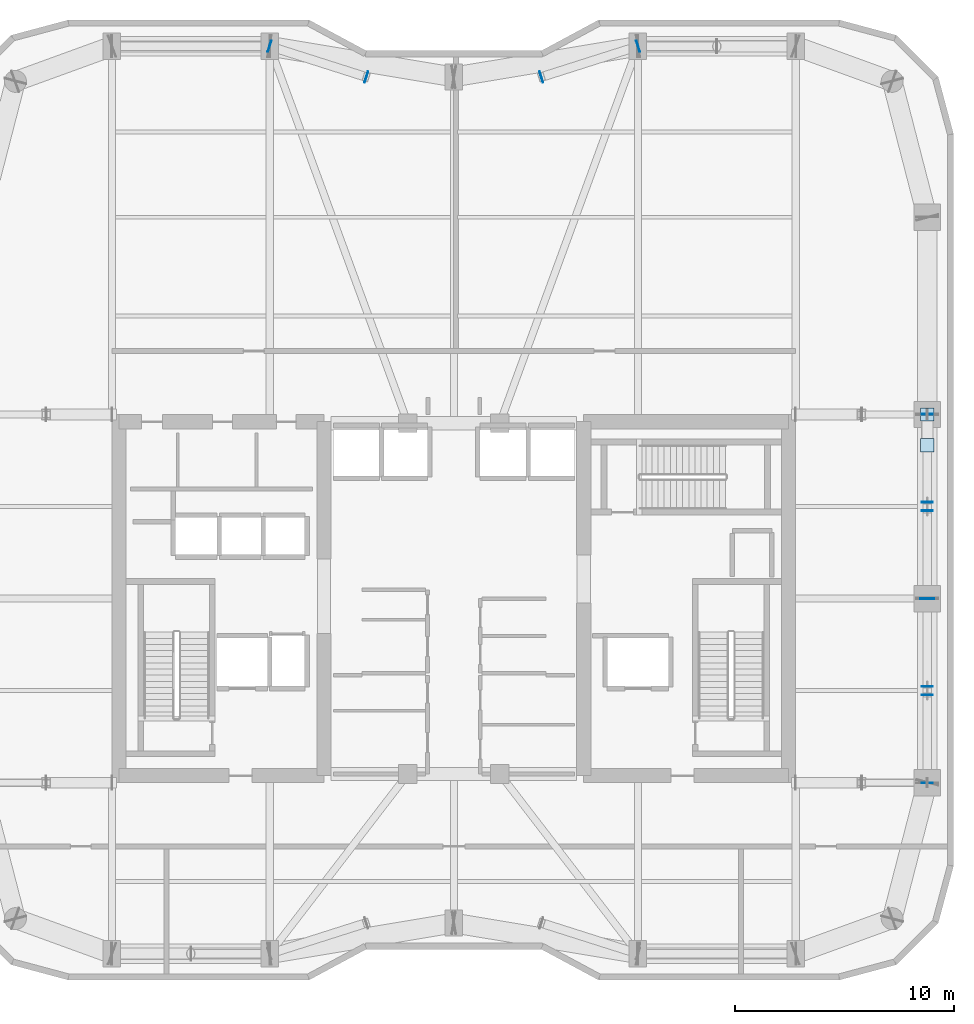
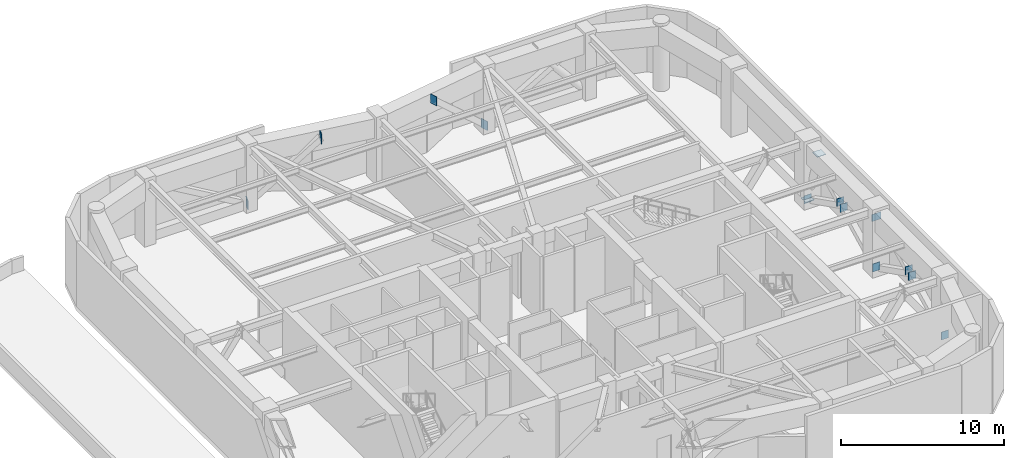
# One storey, part 10 of 16: 15 plates.
"""IFC4 building model written with IfcOpenShell, lengths in metres."""

import ifcopenshell
import ifcopenshell.guid

model = None  # the IFC model being written
_history = None  # IfcOwnerHistory: only IFC2X3 demands one
_inside = {}  # id of a spatial element -> (the spatial element, [elements in it])
_under = {}  # id of a project, library or spatial element -> (it, [spatial elements below it])
_declared = {}  # id of a project -> (the project, [libraries it declares])
_typed = {}  # id of a type object -> (the type object, [elements of that type])
_made_of = {}  # id of a material, layer set ... -> (it, [elements and type objects made of it])


def new_model(schema):
    """Start an empty IFC model of exactly this schema.

    Asked for "IFC4X3", IfcOpenShell would pick the latest addendum, in which some entities
    have other attributes; the version numbers below select the first issue.
    IFC2X3 requires an IfcOwnerHistory on every rooted entity: one is made here for all.
    """
    global model, _history
    if schema == "IFC4X3":
        model = ifcopenshell.file(schema_version=(4, 3, 0, 0))
    else:
        model = ifcopenshell.file(schema=schema)
    _inside.clear()
    _under.clear()
    _declared.clear()
    _typed.clear()
    _made_of.clear()
    _history = None
    if model.schema == "IFC2X3":
        org = make("IfcOrganization", Name="unknown")
        user = make(
            "IfcPersonAndOrganization",
            ThePerson=make("IfcPerson", FamilyName="unknown"),
            TheOrganization=org,
        )
        app = make(
            "IfcApplication",
            ApplicationDeveloper=org,
            Version="unknown",
            ApplicationFullName="unknown",
            ApplicationIdentifier="unknown",
        )
        _history = make(
            "IfcOwnerHistory",
            OwningUser=user,
            OwningApplication=app,
            ChangeAction="ADDED",
            CreationDate=0,
        )
    return model


def make(cls, **values):
    """One entity of the class cls with the attributes given. An attribute that is None is left unset."""
    return model.create_entity(
        cls, **{name: value for name, value in values.items() if value is not None}
    )


def rooted(cls, **values):
    """An entity with a GlobalId (a new one), such as an element, a storey or a relation."""
    return make(cls, GlobalId=ifcopenshell.guid.new(), OwnerHistory=_history, **values)


def si_unit(unit_type, name, prefix=None):
    """IfcSIUnit, for example si_unit("LENGTHUNIT", "METRE", prefix="MILLI")."""
    return make("IfcSIUnit", UnitType=unit_type, Prefix=prefix, Name=name)


def assignment(units):
    """IfcUnitAssignment: the units of a project."""
    return None if units is None else make("IfcUnitAssignment", Units=units)


def point(xyz):
    """IfcCartesianPoint."""
    return None if xyz is None else make("IfcCartesianPoint", Coordinates=xyz)


def direction(xyz):
    """IfcDirection."""
    return None if xyz is None else make("IfcDirection", DirectionRatios=xyz)


def frame(location, z_axis=None, x_axis=None):
    """IfcAxis2Placement3D, a coordinate frame: its origin and axes. An axis left out is left unset."""
    return make(
        "IfcAxis2Placement3D",
        Location=point(location),
        Axis=direction(z_axis),
        RefDirection=direction(x_axis),
    )


def frame_2d(location, x_axis=None):
    """IfcAxis2Placement2D, a coordinate frame in the plane: its origin and x axis."""
    return make(
        "IfcAxis2Placement2D", Location=point(location), RefDirection=direction(x_axis)
    )


def origin():
    """The frame at (0, 0, 0) with its axes left unset."""
    return frame((0.0, 0.0, 0.0))


def origin_2d():
    """The frame at (0, 0) in the plane with its x axis left unset."""
    return frame_2d((0.0, 0.0))


def place(relative_to, where):
    """IfcLocalPlacement: puts the frame where relative to a parent placement (None: the world)."""
    return make(
        "IfcLocalPlacement", PlacementRelTo=relative_to, RelativePlacement=where
    )


def context(
    kind, dimensions, precision=None, world=None, true_north=None, identifier=None
):
    """IfcGeometricRepresentationContext, for example the 3D "Model" context."""
    return make(
        "IfcGeometricRepresentationContext",
        ContextIdentifier=identifier,
        ContextType=kind,
        CoordinateSpaceDimension=dimensions,
        Precision=precision,
        WorldCoordinateSystem=world,
        TrueNorth=true_north,
    )


def subcontext(parent, identifier, kind, view, scale=None):
    """IfcGeometricRepresentationSubContext, for example "Body" below "Model"."""
    return make(
        "IfcGeometricRepresentationSubContext",
        ContextIdentifier=identifier,
        ContextType=kind,
        ParentContext=parent,
        TargetScale=scale,
        TargetView=view,
    )


def project(units=None, contexts=None):
    """IfcProject with its units and contexts."""
    return rooted(
        "IfcProject",
        Name="project",
        RepresentationContexts=contexts,
        UnitsInContext=assignment(units),
    )


def spatial(cls, under=None, at=None, **own):
    """A site, building, storey or space (cls), placed at a placement, below another one or the project."""
    s = rooted(cls, ObjectPlacement=at, **own)
    if under is not None:
        _under.setdefault(under.id(), (under, []))[1].append(s)
    return s


def profile(cls, at=None, kind="AREA", **sizes):
    """A parametric profile (cls). Its sizes go by their IFC names, for example OverallWidth=200.0."""
    return make(cls, ProfileType=kind, Position=at, **sizes)


def rectangle(**sizes):
    """IfcRectangleProfileDef."""
    return profile("IfcRectangleProfileDef", **sizes)


def extrude(swept, where, along, depth):
    """IfcExtrudedAreaSolid: the profile swept, set in the frame where, extruded along a direction by depth."""
    return make(
        "IfcExtrudedAreaSolid",
        SweptArea=swept,
        Position=where,
        ExtrudedDirection=direction(along),
        Depth=depth,
    )


def shape(context_of_items, identifier, shape_type, items):
    """IfcShapeRepresentation: the items that make up one representation, for example the "Body"."""
    return make(
        "IfcShapeRepresentation",
        ContextOfItems=context_of_items,
        RepresentationIdentifier=identifier,
        RepresentationType=shape_type,
        Items=items,
    )


def material(Name=None, Category=None):
    """IfcMaterial."""
    return make("IfcMaterial", Name=Name, Category=Category)


def layer(
    of_material, thickness, ventilated=None, Name=None, Category=None, Priority=None
):
    """IfcMaterialLayer: one layer of a wall or slab, of a material (None: an air gap)."""
    return make(
        "IfcMaterialLayer",
        Material=of_material,
        LayerThickness=thickness,
        IsVentilated=ventilated,
        Name=Name,
        Category=Category,
        Priority=Priority,
    )


def layer_set(layers, Name=None):
    """IfcMaterialLayerSet."""
    return make("IfcMaterialLayerSet", MaterialLayers=layers, LayerSetName=Name)


def made_of(thing, what):
    """Note that an element or type object is made of a material, layer set ...; save() writes the relation."""
    if what is not None:
        _made_of.setdefault(what.id(), (what, []))[1].append(thing)
    return thing


def type_object(cls, material=None, **own):
    """A type object (cls), such as IfcWallType, which elements share."""
    return made_of(rooted(cls, **own), material)


def element(
    cls,
    number,
    at=None,
    inside=None,
    cuts=None,
    type_object=None,
    material=None,
    context=None,
    identifier="Body",
    shape_type=None,
    held_by="IfcProductDefinitionShape",
    body=None,
    shapes=None,
    **own,
):
    """One element of the class cls, such as IfcWall. Its Tag is "e" and its number.

    at: its placement. inside: the storey or other place that contains it. cuts: it is an
    opening in that element (IfcRelVoidsElement). A single representation is given by context,
    identifier, shape_type and body (its items); several are given by shapes. held_by: the class
    of the entity that holds the representations. save() writes the other relations.
    """
    e = rooted(cls, Tag="e%d" % number, ObjectPlacement=at, **own)
    if body is not None:
        shapes = [shape(context, identifier, shape_type, body)]
    if shapes is not None:
        e.Representation = make(held_by, Representations=shapes)
    if inside is not None:
        _inside.setdefault(inside.id(), (inside, []))[1].append(e)
    if cuts is not None:
        rooted(
            "IfcRelVoidsElement", RelatingBuildingElement=cuts, RelatedOpeningElement=e
        )
    if type_object is not None:
        _typed.setdefault(type_object.id(), (type_object, []))[1].append(e)
    return made_of(e, material)


def aggregate(whole, parts):
    """IfcRelAggregates: a whole, such as a stair, and the parts it consists of."""
    return rooted("IfcRelAggregates", RelatingObject=whole, RelatedObjects=parts)


def save(model, path):
    """Write the relations noted so far, then the file.

    IfcRelAggregates (storeys below a building ...), IfcRelContainedInSpatialStructure (elements
    in a storey), IfcRelDefinesByType, IfcRelAssociatesMaterial and IfcRelDeclares: one each for
    every whole, place, type object, material and project.
    """
    for whole, parts in _under.values():
        aggregate(whole, parts)
    for where, things in _inside.values():
        rooted(
            "IfcRelContainedInSpatialStructure",
            RelatedElements=things,
            RelatingStructure=where,
        )
    for kind, things in _typed.values():
        rooted("IfcRelDefinesByType", RelatedObjects=things, RelatingType=kind)
    for what, things in _made_of.values():
        rooted("IfcRelAssociatesMaterial", RelatedObjects=things, RelatingMaterial=what)
    for by, libraries in _declared.values():
        rooted("IfcRelDeclares", RelatingContext=by, RelatedDefinitions=libraries)
    model.write(path)


model = new_model("IFC4")

# Units and contexts
model_context = context("Model", 3, precision=1e-05, world=origin(), true_north=direction((0.0, 1.0)))
body_context = subcontext(model_context, "Body", "Model", "MODEL_VIEW")
ifc_project = project(units=[si_unit("LENGTHUNIT", "METRE"), si_unit("AREAUNIT", "SQUARE_METRE"), si_unit("VOLUMEUNIT", "CUBIC_METRE"), si_unit("PLANEANGLEUNIT", "RADIAN"), si_unit("MASSUNIT", "GRAM", prefix="KILO")], contexts=[model_context])

# Site, building, storey
site_placement = place(None, origin())
site = spatial("IfcSite", under=ifc_project, at=site_placement, CompositionType="ELEMENT")
building_placement = place(site_placement, origin())
building = spatial("IfcBuilding", under=site, at=building_placement, Name="Kiyonajd Concourse Tower", CompositionType="ELEMENT")
storey_placement = place(building_placement, frame((0.0, 0.0, 209.699951171875)))
storey = spatial("IfcBuildingStorey", under=building, at=storey_placement, Name="L53", CompositionType="ELEMENT", Elevation=209.699951171875)

# Plates
ifc_material = material(Name="Steel ASTM A572 Grade 50", Category="steel")
ifc_layer_1 = layer(ifc_material, 0.028076171875)
ifc_layer_set_1 = layer_set([ifc_layer_1], Name="Steel ASTM A572 Grade 50")
plate_type_1 = type_object("IfcPlateType", Name="PL-CAP-450", PredefinedType="USERDEFINED", material=ifc_layer_set_1)
for number, where, z_axis, x_axis, name in (
    (1, (69.60009765625, 44.403564453125, 0.275390625), (0.0, 0.0, 1.0), (1.0, 0.0, 0.0), "L53 Hollow Brace End Cap Plate PBE"),
    (2, (69.60009765625, 42.99658203125, 4.5263671875), (0.0, 0.0, 1.0), (1.0, 0.0, 0.0), "L53 Hollow Brace Top Cap Plate PBE"),
):
    element("IfcPlate", number, at=place(storey_placement, frame(where, z_axis=z_axis, x_axis=x_axis)), inside=storey, type_object=plate_type_1, Name=name, ObjectType="CAP PLATE", PredefinedType="USERDEFINED", context=body_context, shape_type="SweptSolid", body=[
        extrude(rectangle(XDim=0.60791015625, YDim=0.60791015625, at=origin_2d()), origin(), (0.0, 0.0, 1.0), 0.028076171875),
    ])
ifc_layer_2 = layer(ifc_material, 0.031982421875)
ifc_layer_set_2 = layer_set([ifc_layer_2], Name="Steel ASTM A572 Grade 50")
plate_type_2 = type_object("IfcPlateType", Name="PL-CAP-540", PredefinedType="USERDEFINED", material=ifc_layer_set_2)
for number, where, z_axis, x_axis, name in (
    (3, (39.59228515625, 61.202392578125, -0.04833984375), (0.0, 0.0, 1.0), (-0.952926437371, 0.303201591289, 0.0), "L53 Outrigger End Cap Plate 14"),
    (4, (44.0078125, 59.797607421875, 4.1962890625), (0.0, 0.0, 1.0), (0.952926437371, -0.303201591289, 0.0), "L53 Outrigger Far End Cap Plate 14"),
    (5, (51.9921875, 59.797607421875, 4.1962890625), (0.0, 0.0, 1.0), (-0.952926437371, -0.303201591289, 0.0), "L53 Outrigger End Cap Plate 15"),
    (6, (56.40771484375, 61.202392578125, -0.04833984375), (0.0, 0.0, 1.0), (0.952926437371, 0.303201591289, 0.0), "L53 Outrigger Far End Cap Plate 15"),
):
    element("IfcPlate", number, at=place(storey_placement, frame(where, z_axis=z_axis, x_axis=x_axis)), inside=storey, type_object=plate_type_2, Name=name, ObjectType="CAP PLATE", PredefinedType="USERDEFINED", context=body_context, shape_type="SweptSolid", body=[
        extrude(rectangle(XDim=0.035888671875, YDim=0.52001953125, at=origin_2d()), origin(), (0.0, 0.0, 1.0), 0.681884765625),
    ])
for number, where, z_axis, x_axis, name in (
    (7, (69.60009765625, 36.009765625, 0.001220703125), (0.0, 0.0, 1.0), (0.0, 1.0, 0.0), "L53 X Brace Far End Cap E1"),
    (8, (69.60009765625, 27.590087890625, 0.001220703125), (0.0, 0.0, 1.0), (0.0, -1.0, 0.0), "L53 Split X Brace Outer Cap E1"),
    (9, (69.60009765625, 31.6044921875, 2.022705078125), (0.0, 0.0, 1.0), (0.0, 1.0, 0.0), "L53 Split X Brace Node Collar E1"),
    (10, (69.60009765625, 31.99560546875, 2.219482421875), (0.0, 0.0, 1.0), (0.0, -1.0, 0.0), "L53 Split X Brace Node Collar E1"),
    (11, (69.60009765625, 44.409912109375, 0.001220703125), (0.0, 0.0, 1.0), (0.0, 1.0, 0.0), "L53 X Brace Far End Cap E2"),
    (12, (69.60009765625, 35.990234375, 0.001220703125), (0.0, 0.0, 1.0), (0.0, -1.0, 0.0), "L53 Split X Brace Outer Cap E2"),
    (13, (69.60009765625, 40.00439453125, 2.022705078125), (0.0, 0.0, 1.0), (0.0, 1.0, 0.0), "L53 Split X Brace Node Collar E2"),
    (14, (69.60009765625, 40.3955078125, 2.219482421875), (0.0, 0.0, 1.0), (0.0, -1.0, 0.0), "L53 Split X Brace Node Collar E2"),
):
    element("IfcPlate", number, at=place(storey_placement, frame(where, z_axis=z_axis, x_axis=x_axis)), inside=storey, type_object=plate_type_2, Name=name, ObjectType="CAP PLATE", PredefinedType="USERDEFINED", context=body_context, shape_type="SweptSolid", body=[
        extrude(rectangle(XDim=0.035888671875, YDim=0.52001953125, at=origin_2d()), origin(), (0.0, 0.0, 1.0), 0.587890625),
    ])
ifc_layer_3 = layer(ifc_material, 0.52001953125)
ifc_layer_set_3 = layer_set([ifc_layer_3], Name="Steel ASTM A572 Grade 50")
plate_type_3 = type_object("IfcPlateType", Name="PL-GUS-KN2", PredefinedType="USERDEFINED", material=ifc_layer_set_3)
plate_placement = place(storey_placement, frame((69.60009765625, 36.0, 3.7900390625), z_axis=(0.0, 0.0, 1.0), x_axis=(1.0, 0.0, 0.0)))
element("IfcPlate", 15, at=plate_placement, inside=storey, type_object=plate_type_3, Name="Structural Node Assembly Gusset BN2", ObjectType="GUSSET PLATE", PredefinedType="USERDEFINED", context=body_context, shape_type="SweptSolid", body=[
    extrude(rectangle(XDim=0.639892578125, YDim=0.035888671875, at=origin_2d()), origin(), (0.0, 0.0, 1.0), 0.52001953125),
])

save(model, "model.ifc")
